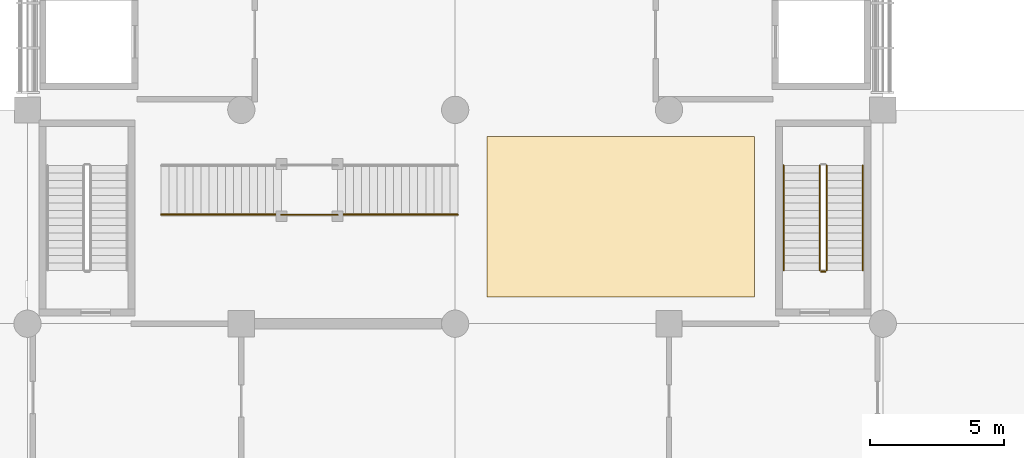
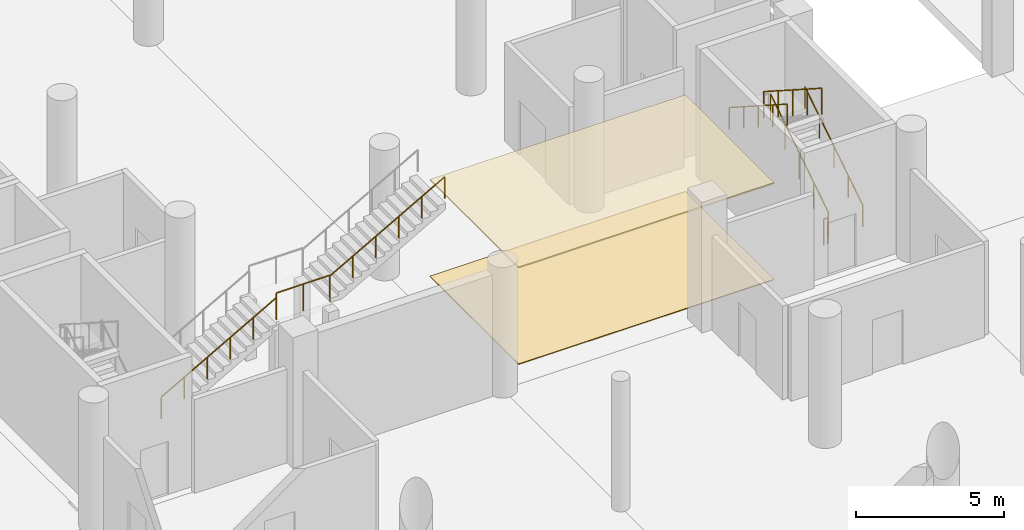
# One storey, part 37 of 42: 8 railings, 2 coverings.
"""IFC4 building model written with IfcOpenShell, lengths in metres."""

from ifc_helpers import new_model, si_unit, direction, frame, origin, origin_2d, place, context, subcontext, project, spatial, polyline, circle, outline, extrude, material, layer, layer_set, type_object, element, save


model = new_model("IFC4")

# Units and contexts
model_context = context("Model", 3, precision=1e-05, world=origin(), true_north=direction((0.0, 1.0)))
body_context = subcontext(model_context, "Body", "Model", "MODEL_VIEW")
ifc_project = project(units=[si_unit("LENGTHUNIT", "METRE"), si_unit("AREAUNIT", "SQUARE_METRE"), si_unit("VOLUMEUNIT", "CUBIC_METRE"), si_unit("PLANEANGLEUNIT", "RADIAN"), si_unit("MASSUNIT", "GRAM", prefix="KILO")], contexts=[model_context])

# Site, building, storey
site_placement = place(None, origin())
site = spatial("IfcSite", under=ifc_project, at=site_placement, CompositionType="ELEMENT")
building_placement = place(site_placement, origin())
building = spatial("IfcBuilding", under=site, at=building_placement, Name="Pecanmere Concourse Central Library", CompositionType="ELEMENT")
storey_placement = place(building_placement, origin())
storey = spatial("IfcBuildingStorey", under=building, at=storey_placement, Name="L01", CompositionType="ELEMENT", Elevation=0.0)

# Coverings
ifc_material_1 = material(Name="Solid white oak architectural joinery")
ifc_layer_1 = layer(ifc_material_1, 0.054931640625, Name="COV_CEIL_OAK_COFF")
ifc_layer_set_1 = layer_set([ifc_layer_1], Name="Solid white oak architectural joinery")
covering_type_1 = type_object("IfcCoveringType", Name="COV_CEIL_OAK_COFF", PredefinedType="CEILING", material=ifc_layer_set_1)
covering_1_placement = place(storey_placement, frame((0.0, 0.0, 3.97998046875)))
element("IfcCovering", 1, at=covering_1_placement, inside=storey, type_object=covering_type_1, Name="Acoustic Coffered Ceiling L01-005", PredefinedType="CEILING", context=body_context, shape_type="SweptSolid", body=[
    extrude(outline(polyline([(89.199951171875, 91.0), (99.199951171875, 91.0), (99.199951171875, 97.0), (89.199951171875, 97.0), (89.199951171875, 91.0)])), origin(), (0.0, 0.0, 1.0), 0.054931640625),
])
ifc_material_2 = material(Name="Polished epoxy terrazzo finish")
ifc_layer_2 = layer(ifc_material_2, 0.030029296875, Name="COV_FLR_TERRAZZO")
ifc_layer_set_2 = layer_set([ifc_layer_2], Name="Polished epoxy terrazzo finish")
covering_type_2 = type_object("IfcCoveringType", Name="COV_FLR_TERRAZZO", PredefinedType="FLOORING", material=ifc_layer_set_2)
covering_2_placement = place(storey_placement, origin())
element("IfcCovering", 2, at=covering_2_placement, inside=storey, type_object=covering_type_2, Name="Finished Flooring L01-005", PredefinedType="FLOORING", context=body_context, shape_type="SweptSolid", body=[
    extrude(outline(polyline([(89.199951171875, 91.0), (99.199951171875, 91.0), (99.199951171875, 97.0), (89.199951171875, 97.0), (89.199951171875, 91.0)])), origin(), (0.0, 0.0, 1.0), 0.030029296875),
])

# Railings
ifc_material_3 = material(Name="Architectural anodized bronze")
railing_type_1 = type_object("IfcRailingType", Name="RAIL_ATRIUM_BAL", PredefinedType="BALUSTRADE", material=ifc_material_3)
railing_1_placement = place(storey_placement, frame((81.5, 94.074951171875, 2.699951171875)))
element("IfcRailing", 3, at=railing_1_placement, inside=storey, type_object=railing_type_1, Name="ST-M2 Mid-Landing Guard L", PredefinedType="BALUSTRADE", context=body_context, shape_type="SweptSolid", body=[
    extrude(circle(Radius=0.02392578125, at=origin_2d()), frame((0.0, 0.0, 1.09619140625), z_axis=(1.0, 0.0, 0.0), x_axis=(0.0, 1.0, 0.0)), (0.0, 0.0, 1.0), 2.10009765625),
    extrude(circle(Radius=0.02099609375, at=origin_2d()), origin(), (0.0, 0.0, 1.0), 1.072021484375),
    extrude(circle(Radius=0.02099609375, at=origin_2d()), frame((1.050048828125, 0.0, 0.0)), (0.0, 0.0, 1.0), 1.072021484375),
    extrude(circle(Radius=0.02099609375, at=origin_2d()), frame((2.10009765625, 0.0, 0.0)), (0.0, 0.0, 1.0), 1.072021484375),
])
ifc_material_4 = material(Name="Painted architectural steel ASTM A36", Category="steel")
railing_type_2 = type_object("IfcRailingType", Name="RAIL_STAIR_GUARD", PredefinedType="GUARDRAIL", material=ifc_material_4)
railing_2_placement = place(storey_placement, frame((101.89990234375, 92.0, 0.179931640625)))
element("IfcRailing", 4, at=railing_2_placement, inside=storey, type_object=railing_type_2, Name="L01 ST-02 Guard 1", PredefinedType="GUARDRAIL", context=body_context, shape_type="SweptSolid", body=[
    extrude(circle(Radius=0.02392578125, at=origin_2d()), frame((0.0, 0.0, 1.076171875), z_axis=(0.0, 0.841171666519, 0.540768182723), x_axis=(-1.0, 0.0, 0.0)), (0.0, 0.0, 1.0), 4.66015625),
    extrude(circle(Radius=0.02099609375, at=origin_2d()), origin(), (0.0, 0.0, 1.0), 1.052001953125),
    extrude(circle(Radius=0.02099609375, at=origin_2d()), frame((0.0, 0.97998046875, 0.6298828125)), (0.0, 0.0, 1.0), 1.052001953125),
    extrude(circle(Radius=0.02099609375, at=origin_2d()), frame((0.0, 1.9599609375, 1.260009765625)), (0.0, 0.0, 1.0), 1.052001953125),
    extrude(circle(Radius=0.02099609375, at=origin_2d()), frame((0.0, 2.93994140625, 1.89013671875)), (0.0, 0.0, 1.0), 1.052001953125),
    extrude(circle(Radius=0.02099609375, at=origin_2d()), frame((0.0, 3.919921875, 2.52001953125)), (0.0, 0.0, 1.0), 1.052001953125),
])
railing_3_placement = place(storey_placement, frame((101.639892578125, 95.919921875, 2.8798828125)))
element("IfcRailing", 5, at=railing_3_placement, inside=storey, type_object=railing_type_2, Name="L01 ST-02 Guard 3", PredefinedType="GUARDRAIL", context=body_context, shape_type="SweptSolid", body=[
    extrude(circle(Radius=0.02392578125, at=origin_2d()), frame((0.0, 0.0, 1.076171875), z_axis=(0.0, -0.841171666519, 0.540768182723), x_axis=(1.0, 0.0, 0.0)), (0.0, 0.0, 1.0), 4.66015625),
    extrude(circle(Radius=0.02099609375, at=origin_2d()), origin(), (0.0, 0.0, 1.0), 1.052001953125),
    extrude(circle(Radius=0.02099609375, at=origin_2d()), frame((0.0, -0.97998046875, 0.6298828125)), (0.0, 0.0, 1.0), 1.052001953125),
    extrude(circle(Radius=0.02099609375, at=origin_2d()), frame((0.0, -1.9599609375, 1.260009765625)), (0.0, 0.0, 1.0), 1.052001953125),
    extrude(circle(Radius=0.02099609375, at=origin_2d()), frame((0.0, -2.93994140625, 1.89013671875)), (0.0, 0.0, 1.0), 1.052001953125),
    extrude(circle(Radius=0.02099609375, at=origin_2d()), frame((0.0, -3.919921875, 2.52001953125)), (0.0, 0.0, 1.0), 1.052001953125),
])
railing_4_placement = place(storey_placement, frame((101.85009765625, 91.949951171875, 0.0)))
element("IfcRailing", 6, at=railing_4_placement, inside=storey, type_object=railing_type_2, Name="L01 ST-02 Guard 4", PredefinedType="GUARDRAIL", context=body_context, shape_type="SweptSolid", body=[
    extrude(circle(Radius=0.02392578125, at=origin_2d()), frame((0.0, 0.0, 1.076171875), z_axis=(-1.0, 0.0, 0.0), x_axis=(0.0, -1.0, 0.0)), (0.0, 0.0, 1.0), 0.16015625),
    extrude(circle(Radius=0.02099609375, at=origin_2d()), origin(), (0.0, 0.0, 1.0), 1.052001953125),
    extrude(circle(Radius=0.02099609375, at=origin_2d()), frame((-0.16015625, 0.0, 0.0)), (0.0, 0.0, 1.0), 1.052001953125),
])
ifc_material_5 = material(Name="Brushed stainless steel Grade 316", Category="steel")
railing_type_3 = type_object("IfcRailingType", Name="RAIL_STAIR_HR", PredefinedType="HANDRAIL", material=ifc_material_5)
railing_5_placement = place(storey_placement, frame((103.25, 92.0, 0.179931640625)))
element("IfcRailing", 7, at=railing_5_placement, inside=storey, type_object=railing_type_3, Name="L01 ST-02 Handrail 1", PredefinedType="HANDRAIL", context=body_context, shape_type="SweptSolid", body=[
    extrude(circle(Radius=0.02392578125, at=origin_2d()), frame((0.0, 0.0, 0.89111328125), z_axis=(0.0, 0.841171666519, 0.540768182723), x_axis=(-1.0, 0.0, 0.0)), (0.0, 0.0, 1.0), 4.66015625),
    extrude(circle(Radius=0.02099609375, at=origin_2d()), origin(), (0.0, 0.0, 1.0), 0.866943359375),
    extrude(circle(Radius=0.02099609375, at=origin_2d()), frame((0.0, 0.97998046875, 0.6298828125)), (0.0, 0.0, 1.0), 0.866943359375),
    extrude(circle(Radius=0.02099609375, at=origin_2d()), frame((0.0, 1.9599609375, 1.260009765625)), (0.0, 0.0, 1.0), 0.866943359375),
    extrude(circle(Radius=0.02099609375, at=origin_2d()), frame((0.0, 2.93994140625, 1.89013671875)), (0.0, 0.0, 1.0), 0.866943359375),
    extrude(circle(Radius=0.02099609375, at=origin_2d()), frame((0.0, 3.919921875, 2.52001953125)), (0.0, 0.0, 1.0), 0.866943359375),
])
railing_6_placement = place(storey_placement, frame((100.2900390625, 95.919921875, 2.8798828125)))
element("IfcRailing", 8, at=railing_6_placement, inside=storey, type_object=railing_type_3, Name="L01 ST-02 Handrail 2", PredefinedType="HANDRAIL", context=body_context, shape_type="SweptSolid", body=[
    extrude(circle(Radius=0.02392578125, at=origin_2d()), frame((0.0, 0.0, 0.89111328125), z_axis=(0.0, -0.841171666519, 0.540768182723), x_axis=(1.0, 0.0, 0.0)), (0.0, 0.0, 1.0), 4.66015625),
    extrude(circle(Radius=0.02099609375, at=origin_2d()), origin(), (0.0, 0.0, 1.0), 0.866943359375),
    extrude(circle(Radius=0.02099609375, at=origin_2d()), frame((0.0, -0.97998046875, 0.6298828125)), (0.0, 0.0, 1.0), 0.866943359375),
    extrude(circle(Radius=0.02099609375, at=origin_2d()), frame((0.0, -1.9599609375, 1.260009765625)), (0.0, 0.0, 1.0), 0.866943359375),
    extrude(circle(Radius=0.02099609375, at=origin_2d()), frame((0.0, -2.93994140625, 1.89013671875)), (0.0, 0.0, 1.0), 0.866943359375),
    extrude(circle(Radius=0.02099609375, at=origin_2d()), frame((0.0, -3.919921875, 2.52001953125)), (0.0, 0.0, 1.0), 0.866943359375),
])
railing_7_placement = place(storey_placement, frame((77.0, 94.0849609375, 0.168701171875)))
element("IfcRailing", 9, at=railing_7_placement, inside=storey, type_object=railing_type_3, Name="ST-M2 Handrail 1L", PredefinedType="HANDRAIL", context=body_context, shape_type="SweptSolid", body=[
    extrude(circle(Radius=0.02392578125, at=origin_2d()), frame((0.0, 0.0, 0.89111328125), z_axis=(0.871575537125, 0.0, 0.490261239633), x_axis=(0.0, 1.0, 0.0)), (0.0, 0.0, 1.0), 5.1630859375),
    extrude(circle(Radius=0.02099609375, at=origin_2d()), origin(), (0.0, 0.0, 1.0), 0.866943359375),
    extrude(circle(Radius=0.02099609375, at=origin_2d()), frame((0.89990234375, 0.0, 0.50634765625)), (0.0, 0.0, 1.0), 0.866943359375),
    extrude(circle(Radius=0.02099609375, at=origin_2d()), frame((1.800048828125, 0.0, 1.012451171875)), (0.0, 0.0, 1.0), 0.866943359375),
    extrude(circle(Radius=0.02099609375, at=origin_2d()), frame((2.699951171875, 0.0, 1.518798828125)), (0.0, 0.0, 1.0), 0.866943359375),
    extrude(circle(Radius=0.02099609375, at=origin_2d()), frame((3.60009765625, 0.0, 2.02490234375)), (0.0, 0.0, 1.0), 0.866943359375),
    extrude(circle(Radius=0.02099609375, at=origin_2d()), frame((4.5, 0.0, 2.53125)), (0.0, 0.0, 1.0), 0.866943359375),
])
railing_8_placement = place(storey_placement, frame((83.60009765625, 94.0849609375, 2.868896484375)))
element("IfcRailing", 10, at=railing_8_placement, inside=storey, type_object=railing_type_3, Name="ST-M2 Handrail 2L", PredefinedType="HANDRAIL", context=body_context, shape_type="SweptSolid", body=[
    extrude(circle(Radius=0.02392578125, at=origin_2d()), frame((0.0, 0.0, 0.89111328125), z_axis=(0.871595742146, 0.0, 0.490225317862), x_axis=(0.0, 1.0, 0.0)), (0.0, 0.0, 1.0), 5.162841796875),
    extrude(circle(Radius=0.02099609375, at=origin_2d()), origin(), (0.0, 0.0, 1.0), 0.866943359375),
    extrude(circle(Radius=0.02099609375, at=origin_2d()), frame((0.89990234375, 0.0, 0.506103515625)), (0.0, 0.0, 1.0), 0.866943359375),
    extrude(circle(Radius=0.02099609375, at=origin_2d()), frame((1.800048828125, 0.0, 1.012451171875)), (0.0, 0.0, 1.0), 0.866943359375),
    extrude(circle(Radius=0.02099609375, at=origin_2d()), frame((2.699951171875, 0.0, 1.5185546875)), (0.0, 0.0, 1.0), 0.866943359375),
    extrude(circle(Radius=0.02099609375, at=origin_2d()), frame((3.60009765625, 0.0, 2.02490234375)), (0.0, 0.0, 1.0), 0.866943359375),
    extrude(circle(Radius=0.02099609375, at=origin_2d()), frame((4.5, 0.0, 2.531005859375)), (0.0, 0.0, 1.0), 0.866943359375),
])

save(model, "model.ifc")
